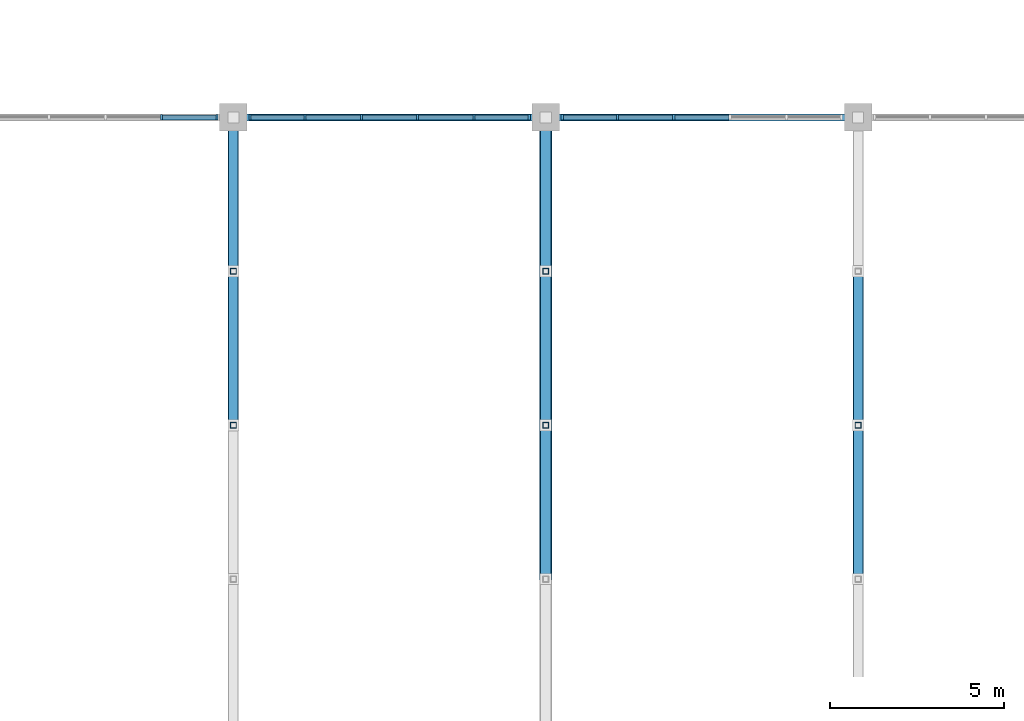
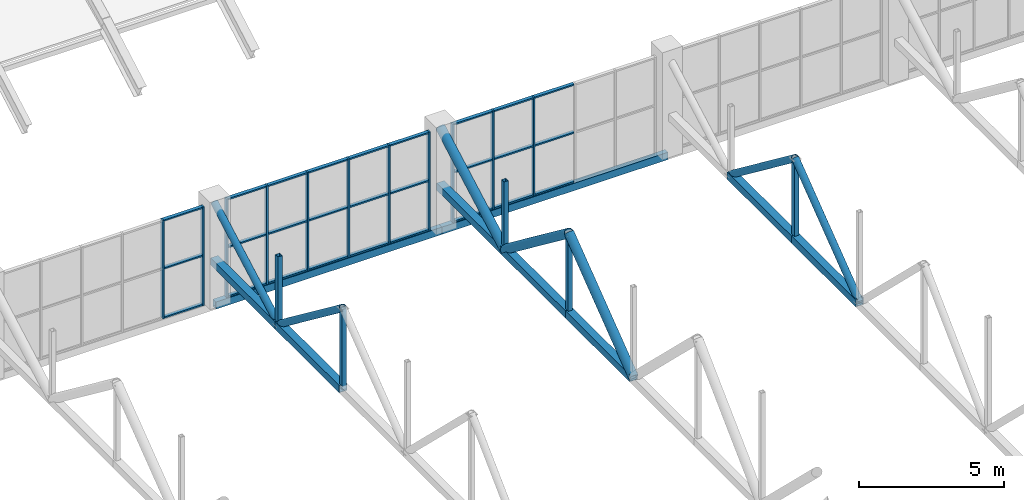
# One storey, part 59 of 103: 57 members, 2 beams, 3 elements without a shape of their own.
"""IFC4 building model written with IfcOpenShell, lengths in metres."""

from ifc_helpers import new_model, si_unit, direction, frame, origin, origin_2d, place, context, subcontext, project, spatial, rectangle, hollow_rectangle, hollow_circle, extrude, material, layer, layer_set, material_profile, profile_set, type_object, element, aggregate, save


model = new_model("IFC4")

# Units and contexts
model_context = context("Model", 3, precision=1e-05, world=origin(), true_north=direction((0.0, 1.0)))
body_context = subcontext(model_context, "Body", "Model", "MODEL_VIEW")
ifc_project = project(units=[si_unit("LENGTHUNIT", "METRE"), si_unit("AREAUNIT", "SQUARE_METRE"), si_unit("VOLUMEUNIT", "CUBIC_METRE"), si_unit("PLANEANGLEUNIT", "RADIAN"), si_unit("MASSUNIT", "GRAM", prefix="KILO")], contexts=[model_context])

# Site, building, storey
site_placement = place(None, origin())
site = spatial("IfcSite", under=ifc_project, at=site_placement, CompositionType="ELEMENT")
building_placement = place(site_placement, origin())
building = spatial("IfcBuilding", under=site, at=building_placement, Name="Cazmaro Siding Exhibition Halls", CompositionType="ELEMENT")
storey_placement = place(building_placement, frame((0.0, 0.0, 16.5)))
storey = spatial("IfcBuildingStorey", under=building, at=storey_placement, Name="L03", CompositionType="ELEMENT", Elevation=16.5)

# Curtain wall, members
ifc_material_1 = material(Name="Anodized Bronze Aluminum and Solar-Control Low-E Glazing", Category="aluminium")
ifc_layer = layer(ifc_material_1, 0.159912109375)
ifc_layer_set = layer_set([ifc_layer], Name="Anodized Bronze Aluminum and Solar-Control Low-E Glazing")
curtain_wall_type = type_object("IfcCurtainWallType", Name="CWS-04", PredefinedType="USERDEFINED", material=ifc_layer_set)
curtain_wall_1_placement = place(storey_placement, origin())
curtain_wall_1 = element("IfcCurtainWall", 1, at=curtain_wall_1_placement, inside=storey, type_object=curtain_wall_type, Name="Clerestory Curtain Wall CWS-04 CW-099", ObjectType="CLERESTORY CURTAIN WALL", PredefinedType="USERDEFINED")
ifc_material_2 = material(Name="Anodized Bronze Extruded Aluminum", Category="aluminium")
ifc_material_profile_1 = material_profile(ifc_material_2, rectangle(XDim=0.159912109375, YDim=0.06005859375, at=origin_2d()), Name="CWM-04")
ifc_profile_set_1 = profile_set([ifc_material_profile_1], Name="Anodized Bronze Extruded Aluminum")
member_type_1 = type_object("IfcMemberType", Name="CWM-04", PredefinedType="MULLION", material=ifc_profile_set_1)
member_1_placement = place(storey_placement, frame((161.52490234375, 53.60009765625, 0.0), z_axis=(0.0, 0.0, 1.0), x_axis=(0.0, -1.0, 0.0)))
member_1 = element("IfcMember", 2, at=member_1_placement, type_object=member_type_1, Name="CWS-04 mullion 1", PredefinedType="MULLION", context=body_context, shape_type="SweptSolid", body=[
    extrude(rectangle(XDim=0.159912109375, YDim=0.06005859375, at=origin_2d()), origin(), (0.0, 0.0, 1.0), 4.14990234375),
])
member_2_placement = place(storey_placement, frame((159.93310546875, 53.60009765625, 0.0), z_axis=(0.0, 0.0, 1.0), x_axis=(0.0, -1.0, 0.0)))
member_2 = element("IfcMember", 3, at=member_2_placement, type_object=member_type_1, Name="CWS-04 mullion 2", PredefinedType="MULLION", context=body_context, shape_type="SweptSolid", body=[
    extrude(rectangle(XDim=0.159912109375, YDim=0.06005859375, at=origin_2d()), origin(), (0.0, 0.0, 1.0), 4.14990234375),
])

curtain_wall_2_placement = place(storey_placement, origin())
curtain_wall_2 = element("IfcCurtainWall", 4, at=curtain_wall_2_placement, inside=storey, type_object=curtain_wall_type, Name="Clerestory Curtain Wall CWS-04 CW-101", ObjectType="CLERESTORY CURTAIN WALL", PredefinedType="USERDEFINED")
member_3_placement = place(storey_placement, frame((170.52490234375, 53.60009765625, 0.0), z_axis=(0.0, 0.0, 1.0), x_axis=(0.0, -1.0, 0.0)))
member_3 = element("IfcMember", 5, at=member_3_placement, type_object=member_type_1, Name="CWS-04 mullion 1", PredefinedType="MULLION", context=body_context, shape_type="SweptSolid", body=[
    extrude(rectangle(XDim=0.159912109375, YDim=0.06005859375, at=origin_2d()), origin(), (0.0, 0.0, 1.0), 4.14990234375),
])
member_4_placement = place(storey_placement, frame((168.93310546875, 53.60009765625, 0.0), z_axis=(0.0, 0.0, 1.0), x_axis=(0.0, -1.0, 0.0)))
member_4 = element("IfcMember", 6, at=member_4_placement, type_object=member_type_1, Name="CWS-04 mullion 2", PredefinedType="MULLION", context=body_context, shape_type="SweptSolid", body=[
    extrude(rectangle(XDim=0.159912109375, YDim=0.06005859375, at=origin_2d()), origin(), (0.0, 0.0, 1.0), 4.14990234375),
])
member_5_placement = place(storey_placement, frame((167.31103515625, 53.60009765625, 0.0), z_axis=(0.0, 0.0, 1.0), x_axis=(0.0, -1.0, 0.0)))
member_5 = element("IfcMember", 7, at=member_5_placement, type_object=member_type_1, Name="CWS-04 mullion 3", PredefinedType="MULLION", context=body_context, shape_type="SweptSolid", body=[
    extrude(rectangle(XDim=0.159912109375, YDim=0.06005859375, at=origin_2d()), origin(), (0.0, 0.0, 1.0), 4.14990234375),
])
member_6_placement = place(storey_placement, frame((165.68896484375, 53.60009765625, 0.0), z_axis=(0.0, 0.0, 1.0), x_axis=(0.0, -1.0, 0.0)))
member_6 = element("IfcMember", 8, at=member_6_placement, type_object=member_type_1, Name="CWS-04 mullion 4", PredefinedType="MULLION", context=body_context, shape_type="SweptSolid", body=[
    extrude(rectangle(XDim=0.159912109375, YDim=0.06005859375, at=origin_2d()), origin(), (0.0, 0.0, 1.0), 4.14990234375),
])
member_7_placement = place(storey_placement, frame((164.06689453125, 53.60009765625, 0.0), z_axis=(0.0, 0.0, 1.0), x_axis=(0.0, -1.0, 0.0)))
member_7 = element("IfcMember", 9, at=member_7_placement, type_object=member_type_1, Name="CWS-04 mullion 5", PredefinedType="MULLION", context=body_context, shape_type="SweptSolid", body=[
    extrude(rectangle(XDim=0.159912109375, YDim=0.06005859375, at=origin_2d()), origin(), (0.0, 0.0, 1.0), 4.14990234375),
])
member_8_placement = place(storey_placement, frame((162.47509765625, 53.60009765625, 0.0), z_axis=(0.0, 0.0, 1.0), x_axis=(0.0, -1.0, 0.0)))
member_8 = element("IfcMember", 10, at=member_8_placement, type_object=member_type_1, Name="CWS-04 mullion 6", PredefinedType="MULLION", context=body_context, shape_type="SweptSolid", body=[
    extrude(rectangle(XDim=0.159912109375, YDim=0.06005859375, at=origin_2d()), origin(), (0.0, 0.0, 1.0), 4.14990234375),
])

curtain_wall_3_placement = place(storey_placement, origin())
curtain_wall_3 = element("IfcCurtainWall", 11, at=curtain_wall_3_placement, inside=storey, type_object=curtain_wall_type, Name="Clerestory Curtain Wall CWS-04 CW-103", ObjectType="CLERESTORY CURTAIN WALL", PredefinedType="USERDEFINED")
member_9_placement = place(storey_placement, frame((174.68896484375, 53.60009765625, 0.0), z_axis=(0.0, 0.0, 1.0), x_axis=(0.0, -1.0, 0.0)))
member_9 = element("IfcMember", 12, at=member_9_placement, type_object=member_type_1, Name="CWS-04 mullion 4", PredefinedType="MULLION", context=body_context, shape_type="SweptSolid", body=[
    extrude(rectangle(XDim=0.159912109375, YDim=0.06005859375, at=origin_2d()), origin(), (0.0, 0.0, 1.0), 4.14990234375),
])
member_10_placement = place(storey_placement, frame((173.06689453125, 53.60009765625, 0.0), z_axis=(0.0, 0.0, 1.0), x_axis=(0.0, -1.0, 0.0)))
member_10 = element("IfcMember", 13, at=member_10_placement, type_object=member_type_1, Name="CWS-04 mullion 5", PredefinedType="MULLION", context=body_context, shape_type="SweptSolid", body=[
    extrude(rectangle(XDim=0.159912109375, YDim=0.06005859375, at=origin_2d()), origin(), (0.0, 0.0, 1.0), 4.14990234375),
])
member_11_placement = place(storey_placement, frame((171.47509765625, 53.60009765625, 0.0), z_axis=(0.0, 0.0, 1.0), x_axis=(0.0, -1.0, 0.0)))
member_11 = element("IfcMember", 14, at=member_11_placement, type_object=member_type_1, Name="CWS-04 mullion 6", PredefinedType="MULLION", context=body_context, shape_type="SweptSolid", body=[
    extrude(rectangle(XDim=0.159912109375, YDim=0.06005859375, at=origin_2d()), origin(), (0.0, 0.0, 1.0), 4.14990234375),
])

# Member
ifc_material_3 = material(Name="Anodized Bronze Extruded Aluminum", Category="aluminium")
ifc_material_profile_2 = material_profile(ifc_material_3, rectangle(XDim=0.139892578125, YDim=0.06005859375, at=origin_2d()), Name="CWT-04")
ifc_profile_set_2 = profile_set([ifc_material_profile_2], Name="Anodized Bronze Extruded Aluminum")
member_type_2 = type_object("IfcMemberType", Name="CWT-04", PredefinedType="MULLION", material=ifc_profile_set_2)
member_12_placement = place(storey_placement, frame((161.4951171875, 53.60009765625, 0.030029296875), z_axis=(-1.0, 0.0, 0.0), x_axis=(0.0, -1.0, 0.0)))
member_12 = element("IfcMember", 15, at=member_12_placement, type_object=member_type_2, Name="CWS-04 transom 1.1", ObjectType="TRANSOM", PredefinedType="USERDEFINED", context=body_context, shape_type="SweptSolid", body=[
    extrude(rectangle(XDim=0.139892578125, YDim=0.06005859375, at=origin_2d()), origin(), (0.0, 0.0, 1.0), 1.5322265625),
])

member_13_placement = place(storey_placement, frame((161.4951171875, 53.60009765625, 2.10009765625), z_axis=(-1.0, 0.0, 0.0), x_axis=(0.0, -1.0, 0.0)))
member_13 = element("IfcMember", 16, at=member_13_placement, type_object=member_type_2, Name="CWS-04 transom 1.2", ObjectType="TRANSOM", PredefinedType="USERDEFINED", context=body_context, shape_type="SweptSolid", body=[
    extrude(rectangle(XDim=0.139892578125, YDim=0.06005859375, at=origin_2d()), origin(), (0.0, 0.0, 1.0), 1.5322265625),
])

member_14_placement = place(storey_placement, frame((161.4951171875, 53.60009765625, 4.1201171875), z_axis=(-1.0, 0.0, 0.0), x_axis=(0.0, -1.0, 0.0)))
member_14 = element("IfcMember", 17, at=member_14_placement, type_object=member_type_2, Name="CWS-04 transom 1.3", ObjectType="TRANSOM", PredefinedType="USERDEFINED", context=body_context, shape_type="SweptSolid", body=[
    extrude(rectangle(XDim=0.139892578125, YDim=0.06005859375, at=origin_2d()), origin(), (0.0, 0.0, 1.0), 1.5322265625),
])

aggregate(curtain_wall_1, [member_1, member_2, member_12, member_13, member_14])

member_15_placement = place(storey_placement, frame((170.4951171875, 53.60009765625, 0.030029296875), z_axis=(-1.0, 0.0, 0.0), x_axis=(0.0, -1.0, 0.0)))
member_15 = element("IfcMember", 18, at=member_15_placement, type_object=member_type_2, Name="CWS-04 transom 1.1", ObjectType="TRANSOM", PredefinedType="USERDEFINED", context=body_context, shape_type="SweptSolid", body=[
    extrude(rectangle(XDim=0.139892578125, YDim=0.06005859375, at=origin_2d()), origin(), (0.0, 0.0, 1.0), 1.5322265625),
])

member_16_placement = place(storey_placement, frame((170.4951171875, 53.60009765625, 2.10009765625), z_axis=(-1.0, 0.0, 0.0), x_axis=(0.0, -1.0, 0.0)))
member_16 = element("IfcMember", 19, at=member_16_placement, type_object=member_type_2, Name="CWS-04 transom 1.2", ObjectType="TRANSOM", PredefinedType="USERDEFINED", context=body_context, shape_type="SweptSolid", body=[
    extrude(rectangle(XDim=0.139892578125, YDim=0.06005859375, at=origin_2d()), origin(), (0.0, 0.0, 1.0), 1.5322265625),
])

member_17_placement = place(storey_placement, frame((170.4951171875, 53.60009765625, 4.1201171875), z_axis=(-1.0, 0.0, 0.0), x_axis=(0.0, -1.0, 0.0)))
member_17 = element("IfcMember", 20, at=member_17_placement, type_object=member_type_2, Name="CWS-04 transom 1.3", ObjectType="TRANSOM", PredefinedType="USERDEFINED", context=body_context, shape_type="SweptSolid", body=[
    extrude(rectangle(XDim=0.139892578125, YDim=0.06005859375, at=origin_2d()), origin(), (0.0, 0.0, 1.0), 1.5322265625),
])

member_18_placement = place(storey_placement, frame((168.903076171875, 53.60009765625, 0.030029296875), z_axis=(-1.0, 0.0, 0.0), x_axis=(0.0, -1.0, 0.0)))
member_18 = element("IfcMember", 21, at=member_18_placement, type_object=member_type_2, Name="CWS-04 transom 2.1", ObjectType="TRANSOM", PredefinedType="USERDEFINED", context=body_context, shape_type="SweptSolid", body=[
    extrude(rectangle(XDim=0.139892578125, YDim=0.06005859375, at=origin_2d()), origin(), (0.0, 0.0, 1.0), 1.56201171875),
])

member_19_placement = place(storey_placement, frame((168.903076171875, 53.60009765625, 2.10009765625), z_axis=(-1.0, 0.0, 0.0), x_axis=(0.0, -1.0, 0.0)))
member_19 = element("IfcMember", 22, at=member_19_placement, type_object=member_type_2, Name="CWS-04 transom 2.2", ObjectType="TRANSOM", PredefinedType="USERDEFINED", context=body_context, shape_type="SweptSolid", body=[
    extrude(rectangle(XDim=0.139892578125, YDim=0.06005859375, at=origin_2d()), origin(), (0.0, 0.0, 1.0), 1.56201171875),
])

member_20_placement = place(storey_placement, frame((168.903076171875, 53.60009765625, 4.1201171875), z_axis=(-1.0, 0.0, 0.0), x_axis=(0.0, -1.0, 0.0)))
member_20 = element("IfcMember", 23, at=member_20_placement, type_object=member_type_2, Name="CWS-04 transom 2.3", ObjectType="TRANSOM", PredefinedType="USERDEFINED", context=body_context, shape_type="SweptSolid", body=[
    extrude(rectangle(XDim=0.139892578125, YDim=0.06005859375, at=origin_2d()), origin(), (0.0, 0.0, 1.0), 1.56201171875),
])

member_21_placement = place(storey_placement, frame((167.281005859375, 53.60009765625, 0.030029296875), z_axis=(-1.0, 0.0, 0.0), x_axis=(0.0, -1.0, 0.0)))
member_21 = element("IfcMember", 24, at=member_21_placement, type_object=member_type_2, Name="CWS-04 transom 3.1", ObjectType="TRANSOM", PredefinedType="USERDEFINED", context=body_context, shape_type="SweptSolid", body=[
    extrude(rectangle(XDim=0.139892578125, YDim=0.06005859375, at=origin_2d()), origin(), (0.0, 0.0, 1.0), 1.56201171875),
])

member_22_placement = place(storey_placement, frame((167.281005859375, 53.60009765625, 2.10009765625), z_axis=(-1.0, 0.0, 0.0), x_axis=(0.0, -1.0, 0.0)))
member_22 = element("IfcMember", 25, at=member_22_placement, type_object=member_type_2, Name="CWS-04 transom 3.2", ObjectType="TRANSOM", PredefinedType="USERDEFINED", context=body_context, shape_type="SweptSolid", body=[
    extrude(rectangle(XDim=0.139892578125, YDim=0.06005859375, at=origin_2d()), origin(), (0.0, 0.0, 1.0), 1.56201171875),
])

member_23_placement = place(storey_placement, frame((167.281005859375, 53.60009765625, 4.1201171875), z_axis=(-1.0, 0.0, 0.0), x_axis=(0.0, -1.0, 0.0)))
member_23 = element("IfcMember", 26, at=member_23_placement, type_object=member_type_2, Name="CWS-04 transom 3.3", ObjectType="TRANSOM", PredefinedType="USERDEFINED", context=body_context, shape_type="SweptSolid", body=[
    extrude(rectangle(XDim=0.139892578125, YDim=0.06005859375, at=origin_2d()), origin(), (0.0, 0.0, 1.0), 1.56201171875),
])

member_24_placement = place(storey_placement, frame((165.658935546875, 53.60009765625, 0.030029296875), z_axis=(-1.0, 0.0, 0.0), x_axis=(0.0, -1.0, 0.0)))
member_24 = element("IfcMember", 27, at=member_24_placement, type_object=member_type_2, Name="CWS-04 transom 4.1", ObjectType="TRANSOM", PredefinedType="USERDEFINED", context=body_context, shape_type="SweptSolid", body=[
    extrude(rectangle(XDim=0.139892578125, YDim=0.06005859375, at=origin_2d()), origin(), (0.0, 0.0, 1.0), 1.56201171875),
])

member_25_placement = place(storey_placement, frame((165.658935546875, 53.60009765625, 2.10009765625), z_axis=(-1.0, 0.0, 0.0), x_axis=(0.0, -1.0, 0.0)))
member_25 = element("IfcMember", 28, at=member_25_placement, type_object=member_type_2, Name="CWS-04 transom 4.2", ObjectType="TRANSOM", PredefinedType="USERDEFINED", context=body_context, shape_type="SweptSolid", body=[
    extrude(rectangle(XDim=0.139892578125, YDim=0.06005859375, at=origin_2d()), origin(), (0.0, 0.0, 1.0), 1.56201171875),
])

member_26_placement = place(storey_placement, frame((165.658935546875, 53.60009765625, 4.1201171875), z_axis=(-1.0, 0.0, 0.0), x_axis=(0.0, -1.0, 0.0)))
member_26 = element("IfcMember", 29, at=member_26_placement, type_object=member_type_2, Name="CWS-04 transom 4.3", ObjectType="TRANSOM", PredefinedType="USERDEFINED", context=body_context, shape_type="SweptSolid", body=[
    extrude(rectangle(XDim=0.139892578125, YDim=0.06005859375, at=origin_2d()), origin(), (0.0, 0.0, 1.0), 1.56201171875),
])

member_27_placement = place(storey_placement, frame((164.037109375, 53.60009765625, 0.030029296875), z_axis=(-1.0, 0.0, 0.0), x_axis=(0.0, -1.0, 0.0)))
member_27 = element("IfcMember", 30, at=member_27_placement, type_object=member_type_2, Name="CWS-04 transom 5.1", ObjectType="TRANSOM", PredefinedType="USERDEFINED", context=body_context, shape_type="SweptSolid", body=[
    extrude(rectangle(XDim=0.139892578125, YDim=0.06005859375, at=origin_2d()), origin(), (0.0, 0.0, 1.0), 1.5322265625),
])

member_28_placement = place(storey_placement, frame((164.037109375, 53.60009765625, 2.10009765625), z_axis=(-1.0, 0.0, 0.0), x_axis=(0.0, -1.0, 0.0)))
member_28 = element("IfcMember", 31, at=member_28_placement, type_object=member_type_2, Name="CWS-04 transom 5.2", ObjectType="TRANSOM", PredefinedType="USERDEFINED", context=body_context, shape_type="SweptSolid", body=[
    extrude(rectangle(XDim=0.139892578125, YDim=0.06005859375, at=origin_2d()), origin(), (0.0, 0.0, 1.0), 1.5322265625),
])

member_29_placement = place(storey_placement, frame((164.037109375, 53.60009765625, 4.1201171875), z_axis=(-1.0, 0.0, 0.0), x_axis=(0.0, -1.0, 0.0)))
member_29 = element("IfcMember", 32, at=member_29_placement, type_object=member_type_2, Name="CWS-04 transom 5.3", ObjectType="TRANSOM", PredefinedType="USERDEFINED", context=body_context, shape_type="SweptSolid", body=[
    extrude(rectangle(XDim=0.139892578125, YDim=0.06005859375, at=origin_2d()), origin(), (0.0, 0.0, 1.0), 1.5322265625),
])

aggregate(curtain_wall_2, [member_3, member_4, member_5, member_6, member_7, member_8, member_15, member_16, member_17, member_18, member_19, member_20, member_21, member_22, member_23, member_24, member_25, member_26, member_27, member_28, member_29])

member_30_placement = place(storey_placement, frame((176.281005859375, 53.60009765625, 0.030029296875), z_axis=(-1.0, 0.0, 0.0), x_axis=(0.0, -1.0, 0.0)))
member_30 = element("IfcMember", 33, at=member_30_placement, type_object=member_type_2, Name="CWS-04 transom 3.1", ObjectType="TRANSOM", PredefinedType="USERDEFINED", context=body_context, shape_type="SweptSolid", body=[
    extrude(rectangle(XDim=0.139892578125, YDim=0.06005859375, at=origin_2d()), origin(), (0.0, 0.0, 1.0), 1.56201171875),
])

member_31_placement = place(storey_placement, frame((176.281005859375, 53.60009765625, 2.10009765625), z_axis=(-1.0, 0.0, 0.0), x_axis=(0.0, -1.0, 0.0)))
member_31 = element("IfcMember", 34, at=member_31_placement, type_object=member_type_2, Name="CWS-04 transom 3.2", ObjectType="TRANSOM", PredefinedType="USERDEFINED", context=body_context, shape_type="SweptSolid", body=[
    extrude(rectangle(XDim=0.139892578125, YDim=0.06005859375, at=origin_2d()), origin(), (0.0, 0.0, 1.0), 1.56201171875),
])

member_32_placement = place(storey_placement, frame((176.281005859375, 53.60009765625, 4.1201171875), z_axis=(-1.0, 0.0, 0.0), x_axis=(0.0, -1.0, 0.0)))
member_32 = element("IfcMember", 35, at=member_32_placement, type_object=member_type_2, Name="CWS-04 transom 3.3", ObjectType="TRANSOM", PredefinedType="USERDEFINED", context=body_context, shape_type="SweptSolid", body=[
    extrude(rectangle(XDim=0.139892578125, YDim=0.06005859375, at=origin_2d()), origin(), (0.0, 0.0, 1.0), 1.56201171875),
])

member_33_placement = place(storey_placement, frame((174.658935546875, 53.60009765625, 0.030029296875), z_axis=(-1.0, 0.0, 0.0), x_axis=(0.0, -1.0, 0.0)))
member_33 = element("IfcMember", 36, at=member_33_placement, type_object=member_type_2, Name="CWS-04 transom 4.1", ObjectType="TRANSOM", PredefinedType="USERDEFINED", context=body_context, shape_type="SweptSolid", body=[
    extrude(rectangle(XDim=0.139892578125, YDim=0.06005859375, at=origin_2d()), origin(), (0.0, 0.0, 1.0), 1.56201171875),
])

member_34_placement = place(storey_placement, frame((174.658935546875, 53.60009765625, 2.10009765625), z_axis=(-1.0, 0.0, 0.0), x_axis=(0.0, -1.0, 0.0)))
member_34 = element("IfcMember", 37, at=member_34_placement, type_object=member_type_2, Name="CWS-04 transom 4.2", ObjectType="TRANSOM", PredefinedType="USERDEFINED", context=body_context, shape_type="SweptSolid", body=[
    extrude(rectangle(XDim=0.139892578125, YDim=0.06005859375, at=origin_2d()), origin(), (0.0, 0.0, 1.0), 1.56201171875),
])

member_35_placement = place(storey_placement, frame((174.658935546875, 53.60009765625, 4.1201171875), z_axis=(-1.0, 0.0, 0.0), x_axis=(0.0, -1.0, 0.0)))
member_35 = element("IfcMember", 38, at=member_35_placement, type_object=member_type_2, Name="CWS-04 transom 4.3", ObjectType="TRANSOM", PredefinedType="USERDEFINED", context=body_context, shape_type="SweptSolid", body=[
    extrude(rectangle(XDim=0.139892578125, YDim=0.06005859375, at=origin_2d()), origin(), (0.0, 0.0, 1.0), 1.56201171875),
])

member_36_placement = place(storey_placement, frame((173.037109375, 53.60009765625, 0.030029296875), z_axis=(-1.0, 0.0, 0.0), x_axis=(0.0, -1.0, 0.0)))
member_36 = element("IfcMember", 39, at=member_36_placement, type_object=member_type_2, Name="CWS-04 transom 5.1", ObjectType="TRANSOM", PredefinedType="USERDEFINED", context=body_context, shape_type="SweptSolid", body=[
    extrude(rectangle(XDim=0.139892578125, YDim=0.06005859375, at=origin_2d()), origin(), (0.0, 0.0, 1.0), 1.5322265625),
])

member_37_placement = place(storey_placement, frame((173.037109375, 53.60009765625, 2.10009765625), z_axis=(-1.0, 0.0, 0.0), x_axis=(0.0, -1.0, 0.0)))
member_37 = element("IfcMember", 40, at=member_37_placement, type_object=member_type_2, Name="CWS-04 transom 5.2", ObjectType="TRANSOM", PredefinedType="USERDEFINED", context=body_context, shape_type="SweptSolid", body=[
    extrude(rectangle(XDim=0.139892578125, YDim=0.06005859375, at=origin_2d()), origin(), (0.0, 0.0, 1.0), 1.5322265625),
])

member_38_placement = place(storey_placement, frame((173.037109375, 53.60009765625, 4.1201171875), z_axis=(-1.0, 0.0, 0.0), x_axis=(0.0, -1.0, 0.0)))
member_38 = element("IfcMember", 41, at=member_38_placement, type_object=member_type_2, Name="CWS-04 transom 5.3", ObjectType="TRANSOM", PredefinedType="USERDEFINED", context=body_context, shape_type="SweptSolid", body=[
    extrude(rectangle(XDim=0.139892578125, YDim=0.06005859375, at=origin_2d()), origin(), (0.0, 0.0, 1.0), 1.5322265625),
])

aggregate(curtain_wall_3, [member_9, member_10, member_11, member_30, member_31, member_32, member_33, member_34, member_35, member_36, member_37, member_38])

# Beams
ifc_material_4 = material(Name="Steel ASTM A500 Grade C", Category="steel")
ifc_material_profile_3 = material_profile(ifc_material_4, hollow_rectangle(XDim=0.202880859375, YDim=0.304931640625, WallThickness=0.011962890625, at=origin_2d()), Name="HSS12X8X1/2")
ifc_profile_set_3 = profile_set([ifc_material_profile_3], Name="Steel ASTM A500 Grade C")
beam_type = type_object("IfcBeamType", Name="SP-01", PredefinedType="SPANDREL", material=ifc_profile_set_3)
for number, where, z_axis, x_axis, name in (
    (42, (162.0, 53.60009765625, -0.152099609375), (1.0, 0.0, 0.0), (0.0, 1.0, 0.0), "Beam SP-01 BM-1525"),
    (43, (171.0, 53.60009765625, -0.152099609375), (1.0, 0.0, 0.0), (0.0, 1.0, 0.0), "Beam SP-01 BM-1529"),
):
    element("IfcBeam", number, at=place(storey_placement, frame(where, z_axis=z_axis, x_axis=x_axis)), inside=storey, type_object=beam_type, Name=name, PredefinedType="SPANDREL", context=body_context, shape_type="SweptSolid", body=[
        extrude(hollow_rectangle(XDim=0.202880859375, YDim=0.304931640625, WallThickness=0.011962890625, at=origin_2d()), origin(), (0.0, 0.0, 1.0), 9.0),
    ])

# Members
ifc_material_5 = material(Name="Steel ASTM A500 Grade C", Category="steel")
ifc_material_profile_4 = material_profile(ifc_material_5, hollow_rectangle(XDim=0.304931640625, YDim=0.304931640625, WallThickness=0.014892578125, at=origin_2d()), Name="HSS12X12X5/8")
ifc_profile_set_4 = profile_set([ifc_material_profile_4], Name="Steel ASTM A500 Grade C")
member_type_3 = type_object("IfcMemberType", Name="TC-02", PredefinedType="CHORD", material=ifc_profile_set_4)
for number, where, z_axis, x_axis, name in (
    (44, (162.0, 44.72998046875, 1.699951171875), (0.0, 1.0, 0.0), (-1.0, 0.0, 0.0), "Warren roof truss bottom chord TC-02 MEM-2717"),
    (45, (162.0, 49.1650390625, 1.699951171875), (0.0, 1.0, 0.0), (-1.0, 0.0, 0.0), "Warren roof truss bottom chord TC-02 MEM-2720"),
    (46, (171.0, 40.294921875, 1.699951171875), (0.0, 1.0, 0.0), (-1.0, 0.0, 0.0), "Warren roof truss bottom chord TC-02 MEM-2753"),
    (47, (171.0, 44.72998046875, 1.699951171875), (0.0, 1.0, 0.0), (-1.0, 0.0, 0.0), "Warren roof truss bottom chord TC-02 MEM-2756"),
    (48, (171.0, 49.1650390625, 1.699951171875), (0.0, 1.0, 0.0), (-1.0, 0.0, 0.0), "Warren roof truss bottom chord TC-02 MEM-2759"),
    (49, (180.0, 40.294921875, 1.699951171875), (0.0, 1.0, 0.0), (-1.0, 0.0, 0.0), "Warren roof truss bottom chord TC-02 MEM-2792"),
    (50, (180.0, 44.72998046875, 1.699951171875), (0.0, 1.0, 0.0), (-1.0, 0.0, 0.0), "Warren roof truss bottom chord TC-02 MEM-2795"),
):
    element("IfcMember", number, at=place(storey_placement, frame(where, z_axis=z_axis, x_axis=x_axis)), inside=storey, type_object=member_type_3, Name=name, PredefinedType="CHORD", context=body_context, shape_type="SweptSolid", body=[
        extrude(hollow_rectangle(XDim=0.304931640625, YDim=0.304931640625, WallThickness=0.014892578125, at=origin_2d()), origin(), (0.0, 0.0, 1.0), 4.43505859375),
    ])
ifc_material_6 = material(Name="Steel ASTM A500 Grade C", Category="steel")
ifc_material_profile_5 = material_profile(ifc_material_6, hollow_rectangle(XDim=0.177978515625, YDim=0.177978515625, WallThickness=0.011962890625, at=origin_2d()), Name="HSS7X7X1/2")
ifc_profile_set_5 = profile_set([ifc_material_profile_5], Name="Steel ASTM A500 Grade C")
member_type_4 = type_object("IfcMemberType", Name="TP-02", PredefinedType="POST", material=ifc_profile_set_5)
member_39_placement = place(storey_placement, frame((162.0, 44.72998046875, 1.699951171875), z_axis=(0.0, 0.0, 1.0), x_axis=(1.0, 0.0, 0.0)))
element("IfcMember", 51, at=member_39_placement, inside=storey, type_object=member_type_4, Name="Warren roof truss vertical TP-02 MEM-2729", PredefinedType="POST", context=body_context, shape_type="SweptSolid", body=[
    extrude(hollow_rectangle(XDim=0.177978515625, YDim=0.177978515625, WallThickness=0.011962890625, at=origin_2d()), origin(), (0.0, 0.0, 1.0), 3.373046875),
])
member_40_placement = place(storey_placement, frame((162.0, 49.1650390625, 1.699951171875), z_axis=(0.0, 0.0, 1.0), x_axis=(1.0, 0.0, 0.0)))
element("IfcMember", 52, at=member_40_placement, inside=storey, type_object=member_type_4, Name="Warren roof truss vertical TP-02 MEM-2730", PredefinedType="POST", context=body_context, shape_type="SweptSolid", body=[
    extrude(hollow_rectangle(XDim=0.177978515625, YDim=0.177978515625, WallThickness=0.011962890625, at=origin_2d()), origin(), (0.0, 0.0, 1.0), 2.906005859375),
])
member_41_placement = place(storey_placement, frame((171.0, 44.72998046875, 1.699951171875), z_axis=(0.0, 0.0, 1.0), x_axis=(1.0, 0.0, 0.0)))
element("IfcMember", 53, at=member_41_placement, inside=storey, type_object=member_type_4, Name="Warren roof truss vertical TP-02 MEM-2768", PredefinedType="POST", context=body_context, shape_type="SweptSolid", body=[
    extrude(hollow_rectangle(XDim=0.177978515625, YDim=0.177978515625, WallThickness=0.011962890625, at=origin_2d()), origin(), (0.0, 0.0, 1.0), 3.373046875),
])
member_42_placement = place(storey_placement, frame((171.0, 49.1650390625, 1.699951171875), z_axis=(0.0, 0.0, 1.0), x_axis=(1.0, 0.0, 0.0)))
element("IfcMember", 54, at=member_42_placement, inside=storey, type_object=member_type_4, Name="Warren roof truss vertical TP-02 MEM-2769", PredefinedType="POST", context=body_context, shape_type="SweptSolid", body=[
    extrude(hollow_rectangle(XDim=0.177978515625, YDim=0.177978515625, WallThickness=0.011962890625, at=origin_2d()), origin(), (0.0, 0.0, 1.0), 2.906005859375),
])
member_43_placement = place(storey_placement, frame((180.0, 44.72998046875, 1.699951171875), z_axis=(0.0, 0.0, 1.0), x_axis=(1.0, 0.0, 0.0)))
element("IfcMember", 55, at=member_43_placement, inside=storey, type_object=member_type_4, Name="Warren roof truss vertical TP-02 MEM-2807", PredefinedType="POST", context=body_context, shape_type="SweptSolid", body=[
    extrude(hollow_rectangle(XDim=0.177978515625, YDim=0.177978515625, WallThickness=0.011962890625, at=origin_2d()), origin(), (0.0, 0.0, 1.0), 3.373046875),
])
ifc_material_7 = material(Name="Steel ASTM A500 Grade C", Category="steel")
ifc_material_profile_6 = material_profile(ifc_material_7, hollow_circle(Radius=0.136474609375, WallThickness=0.012939453125, at=origin_2d()), Name="PIPE10XS")
ifc_profile_set_6 = profile_set([ifc_material_profile_6], Name="Steel ASTM A500 Grade C")
member_type_5 = type_object("IfcMemberType", Name="WB-02", PredefinedType="BRACE", material=ifc_profile_set_6)
member_44_placement = place(storey_placement, frame((162.0, 44.72998046875, 5.072998046875), z_axis=(0.0, 0.795954445209, -0.605356524002), x_axis=(-1.0, 0.0, 0.0)))
element("IfcMember", 56, at=member_44_placement, inside=storey, type_object=member_type_5, Name="Warren roof truss diagonal WB-02 MEM-2718", PredefinedType="BRACE", context=body_context, shape_type="SweptSolid", body=[
    extrude(hollow_circle(Radius=0.136474609375, WallThickness=0.012939453125, at=origin_2d()), origin(), (0.0, 0.0, 1.0), 5.572021484375),
])
member_45_placement = place(storey_placement, frame((162.0, 49.1650390625, 1.699951171875), z_axis=(0.0, 0.876160914294, 0.482018726051), x_axis=(-1.0, 0.0, 0.0)))
element("IfcMember", 57, at=member_45_placement, inside=storey, type_object=member_type_5, Name="Warren roof truss diagonal WB-02 MEM-2721", PredefinedType="BRACE", context=body_context, shape_type="SweptSolid", body=[
    extrude(hollow_circle(Radius=0.136474609375, WallThickness=0.012939453125, at=origin_2d()), origin(), (0.0, 0.0, 1.0), 5.06201171875),
])
for number, where, z_axis, x_axis, name in (
    (58, (180.0, 40.294921875, 1.699951171875), (0.0, 0.795954445209, 0.605356524002), (-1.0, 0.0, 0.0), "Warren roof truss diagonal WB-02 MEM-2793"),
    (59, (180.0, 44.72998046875, 5.072998046875), (0.0, 0.795954445209, -0.605356524002), (-1.0, 0.0, 0.0), "Warren roof truss diagonal WB-02 MEM-2796"),
):
    element("IfcMember", number, at=place(storey_placement, frame(where, z_axis=z_axis, x_axis=x_axis)), inside=storey, type_object=member_type_5, Name=name, PredefinedType="BRACE", context=body_context, shape_type="SweptSolid", body=[
        extrude(hollow_circle(Radius=0.136474609375, WallThickness=0.012939453125, at=origin_2d()), origin(), (0.0, 0.0, 1.0), 5.572021484375),
    ])
ifc_material_8 = material(Name="Steel ASTM A500 Grade C", Category="steel")
ifc_material_profile_7 = material_profile(ifc_material_8, hollow_circle(Radius=0.177978515625, WallThickness=0.012939453125, at=origin_2d()), Name="PIPE14XS")
ifc_profile_set_7 = profile_set([ifc_material_profile_7], Name="Steel ASTM A500 Grade C")
member_type_6 = type_object("IfcMemberType", Name="WB-06", PredefinedType="BRACE", material=ifc_profile_set_7)
for number, where, z_axis, x_axis, name in (
    (60, (171.0, 40.294921875, 1.699951171875), (0.0, 0.795954445209, 0.605356524002), (-1.0, 0.0, 0.0), "Warren roof truss diagonal WB-06 MEM-2754"),
    (61, (171.0, 44.72998046875, 5.072998046875), (0.0, 0.795954445209, -0.605356524002), (-1.0, 0.0, 0.0), "Warren roof truss diagonal WB-06 MEM-2757"),
):
    element("IfcMember", number, at=place(storey_placement, frame(where, z_axis=z_axis, x_axis=x_axis)), inside=storey, type_object=member_type_6, Name=name, PredefinedType="BRACE", context=body_context, shape_type="SweptSolid", body=[
        extrude(hollow_circle(Radius=0.177978515625, WallThickness=0.012939453125, at=origin_2d()), origin(), (0.0, 0.0, 1.0), 5.572021484375),
    ])
member_46_placement = place(storey_placement, frame((171.0, 49.1650390625, 1.699951171875), z_axis=(0.0, 0.876160914294, 0.482018726051), x_axis=(-1.0, 0.0, 0.0)))
element("IfcMember", 62, at=member_46_placement, inside=storey, type_object=member_type_6, Name="Warren roof truss diagonal WB-06 MEM-2760", PredefinedType="BRACE", context=body_context, shape_type="SweptSolid", body=[
    extrude(hollow_circle(Radius=0.177978515625, WallThickness=0.012939453125, at=origin_2d()), origin(), (0.0, 0.0, 1.0), 5.06201171875),
])

save(model, "model.ifc")
